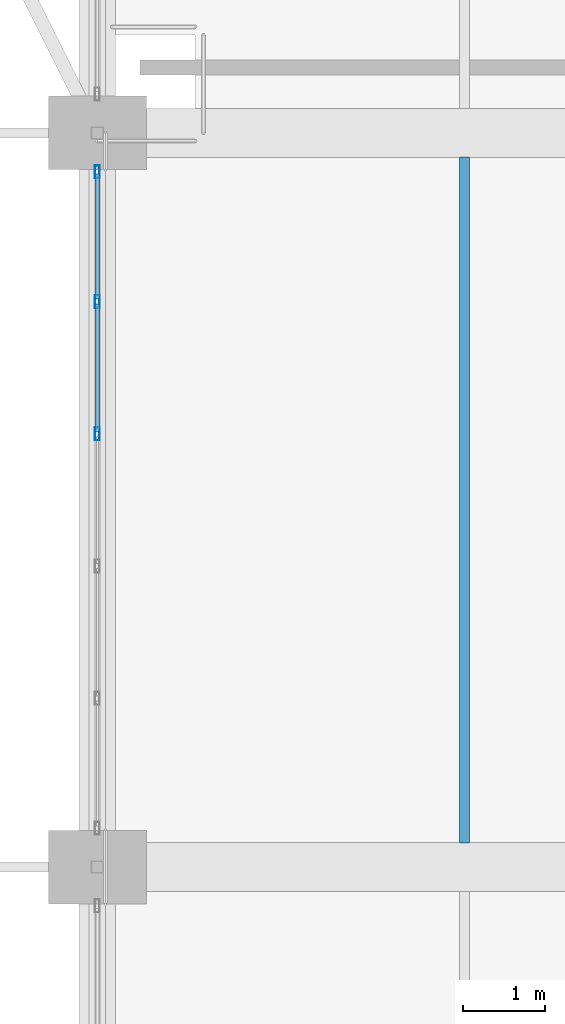
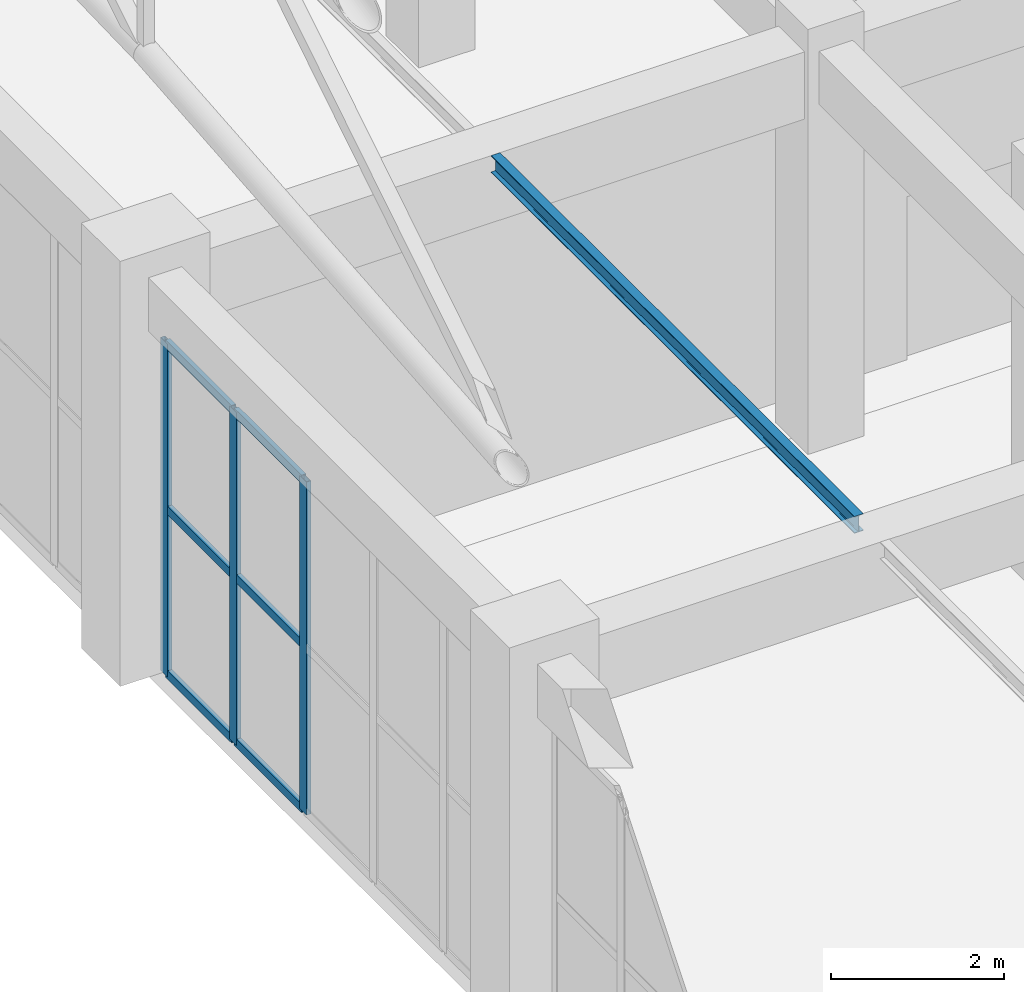
# One storey, part 97 of 223: 9 members, 1 beam, 1 element without a shape of its own.
"""IFC4 building model written with IfcOpenShell, lengths in metres."""

import ifcopenshell
import ifcopenshell.guid

model = None  # the IFC model being written
_history = None  # IfcOwnerHistory: only IFC2X3 demands one
_inside = {}  # id of a spatial element -> (the spatial element, [elements in it])
_under = {}  # id of a project, library or spatial element -> (it, [spatial elements below it])
_declared = {}  # id of a project -> (the project, [libraries it declares])
_typed = {}  # id of a type object -> (the type object, [elements of that type])
_made_of = {}  # id of a material, layer set ... -> (it, [elements and type objects made of it])


def new_model(schema):
    """Start an empty IFC model of exactly this schema.

    Asked for "IFC4X3", IfcOpenShell would pick the latest addendum, in which some entities
    have other attributes; the version numbers below select the first issue.
    IFC2X3 requires an IfcOwnerHistory on every rooted entity: one is made here for all.
    """
    global model, _history
    if schema == "IFC4X3":
        model = ifcopenshell.file(schema_version=(4, 3, 0, 0))
    else:
        model = ifcopenshell.file(schema=schema)
    _inside.clear()
    _under.clear()
    _declared.clear()
    _typed.clear()
    _made_of.clear()
    _history = None
    if model.schema == "IFC2X3":
        org = make("IfcOrganization", Name="unknown")
        user = make(
            "IfcPersonAndOrganization",
            ThePerson=make("IfcPerson", FamilyName="unknown"),
            TheOrganization=org,
        )
        app = make(
            "IfcApplication",
            ApplicationDeveloper=org,
            Version="unknown",
            ApplicationFullName="unknown",
            ApplicationIdentifier="unknown",
        )
        _history = make(
            "IfcOwnerHistory",
            OwningUser=user,
            OwningApplication=app,
            ChangeAction="ADDED",
            CreationDate=0,
        )
    return model


def make(cls, **values):
    """One entity of the class cls with the attributes given. An attribute that is None is left unset."""
    return model.create_entity(
        cls, **{name: value for name, value in values.items() if value is not None}
    )


def rooted(cls, **values):
    """An entity with a GlobalId (a new one), such as an element, a storey or a relation."""
    return make(cls, GlobalId=ifcopenshell.guid.new(), OwnerHistory=_history, **values)


def si_unit(unit_type, name, prefix=None):
    """IfcSIUnit, for example si_unit("LENGTHUNIT", "METRE", prefix="MILLI")."""
    return make("IfcSIUnit", UnitType=unit_type, Prefix=prefix, Name=name)


def assignment(units):
    """IfcUnitAssignment: the units of a project."""
    return None if units is None else make("IfcUnitAssignment", Units=units)


def point(xyz):
    """IfcCartesianPoint."""
    return None if xyz is None else make("IfcCartesianPoint", Coordinates=xyz)


def direction(xyz):
    """IfcDirection."""
    return None if xyz is None else make("IfcDirection", DirectionRatios=xyz)


def frame(location, z_axis=None, x_axis=None):
    """IfcAxis2Placement3D, a coordinate frame: its origin and axes. An axis left out is left unset."""
    return make(
        "IfcAxis2Placement3D",
        Location=point(location),
        Axis=direction(z_axis),
        RefDirection=direction(x_axis),
    )


def frame_2d(location, x_axis=None):
    """IfcAxis2Placement2D, a coordinate frame in the plane: its origin and x axis."""
    return make(
        "IfcAxis2Placement2D", Location=point(location), RefDirection=direction(x_axis)
    )


def origin():
    """The frame at (0, 0, 0) with its axes left unset."""
    return frame((0.0, 0.0, 0.0))


def origin_2d():
    """The frame at (0, 0) in the plane with its x axis left unset."""
    return frame_2d((0.0, 0.0))


def place(relative_to, where):
    """IfcLocalPlacement: puts the frame where relative to a parent placement (None: the world)."""
    return make(
        "IfcLocalPlacement", PlacementRelTo=relative_to, RelativePlacement=where
    )


def context(
    kind, dimensions, precision=None, world=None, true_north=None, identifier=None
):
    """IfcGeometricRepresentationContext, for example the 3D "Model" context."""
    return make(
        "IfcGeometricRepresentationContext",
        ContextIdentifier=identifier,
        ContextType=kind,
        CoordinateSpaceDimension=dimensions,
        Precision=precision,
        WorldCoordinateSystem=world,
        TrueNorth=true_north,
    )


def subcontext(parent, identifier, kind, view, scale=None):
    """IfcGeometricRepresentationSubContext, for example "Body" below "Model"."""
    return make(
        "IfcGeometricRepresentationSubContext",
        ContextIdentifier=identifier,
        ContextType=kind,
        ParentContext=parent,
        TargetScale=scale,
        TargetView=view,
    )


def project(units=None, contexts=None):
    """IfcProject with its units and contexts."""
    return rooted(
        "IfcProject",
        Name="project",
        RepresentationContexts=contexts,
        UnitsInContext=assignment(units),
    )


def spatial(cls, under=None, at=None, **own):
    """A site, building, storey or space (cls), placed at a placement, below another one or the project."""
    s = rooted(cls, ObjectPlacement=at, **own)
    if under is not None:
        _under.setdefault(under.id(), (under, []))[1].append(s)
    return s


def profile(cls, at=None, kind="AREA", **sizes):
    """A parametric profile (cls). Its sizes go by their IFC names, for example OverallWidth=200.0."""
    return make(cls, ProfileType=kind, Position=at, **sizes)


def hollow_rectangle(**sizes):
    """IfcRectangleHollowProfileDef."""
    return profile("IfcRectangleHollowProfileDef", **sizes)


def i_section(**sizes):
    """IfcIShapeProfileDef."""
    return profile("IfcIShapeProfileDef", **sizes)


def extrude(swept, where, along, depth):
    """IfcExtrudedAreaSolid: the profile swept, set in the frame where, extruded along a direction by depth."""
    return make(
        "IfcExtrudedAreaSolid",
        SweptArea=swept,
        Position=where,
        ExtrudedDirection=direction(along),
        Depth=depth,
    )


def shape(context_of_items, identifier, shape_type, items):
    """IfcShapeRepresentation: the items that make up one representation, for example the "Body"."""
    return make(
        "IfcShapeRepresentation",
        ContextOfItems=context_of_items,
        RepresentationIdentifier=identifier,
        RepresentationType=shape_type,
        Items=items,
    )


def material(Name=None, Category=None):
    """IfcMaterial."""
    return make("IfcMaterial", Name=Name, Category=Category)


def layer(
    of_material, thickness, ventilated=None, Name=None, Category=None, Priority=None
):
    """IfcMaterialLayer: one layer of a wall or slab, of a material (None: an air gap)."""
    return make(
        "IfcMaterialLayer",
        Material=of_material,
        LayerThickness=thickness,
        IsVentilated=ventilated,
        Name=Name,
        Category=Category,
        Priority=Priority,
    )


def layer_set(layers, Name=None):
    """IfcMaterialLayerSet."""
    return make("IfcMaterialLayerSet", MaterialLayers=layers, LayerSetName=Name)


def material_profile(
    of_material, cross_section, Name=None, Category=None, Priority=None
):
    """IfcMaterialProfile: a cross section and its material."""
    return make(
        "IfcMaterialProfile",
        Name=Name,
        Material=of_material,
        Profile=cross_section,
        Priority=Priority,
        Category=Category,
    )


def profile_set(profiles, Name=None, composite=None):
    """IfcMaterialProfileSet."""
    return make(
        "IfcMaterialProfileSet",
        Name=Name,
        MaterialProfiles=profiles,
        CompositeProfile=composite,
    )


def made_of(thing, what):
    """Note that an element or type object is made of a material, layer set ...; save() writes the relation."""
    if what is not None:
        _made_of.setdefault(what.id(), (what, []))[1].append(thing)
    return thing


def type_object(cls, material=None, **own):
    """A type object (cls), such as IfcWallType, which elements share."""
    return made_of(rooted(cls, **own), material)


def element(
    cls,
    number,
    at=None,
    inside=None,
    cuts=None,
    type_object=None,
    material=None,
    context=None,
    identifier="Body",
    shape_type=None,
    held_by="IfcProductDefinitionShape",
    body=None,
    shapes=None,
    **own,
):
    """One element of the class cls, such as IfcWall. Its Tag is "e" and its number.

    at: its placement. inside: the storey or other place that contains it. cuts: it is an
    opening in that element (IfcRelVoidsElement). A single representation is given by context,
    identifier, shape_type and body (its items); several are given by shapes. held_by: the class
    of the entity that holds the representations. save() writes the other relations.
    """
    e = rooted(cls, Tag="e%d" % number, ObjectPlacement=at, **own)
    if body is not None:
        shapes = [shape(context, identifier, shape_type, body)]
    if shapes is not None:
        e.Representation = make(held_by, Representations=shapes)
    if inside is not None:
        _inside.setdefault(inside.id(), (inside, []))[1].append(e)
    if cuts is not None:
        rooted(
            "IfcRelVoidsElement", RelatingBuildingElement=cuts, RelatedOpeningElement=e
        )
    if type_object is not None:
        _typed.setdefault(type_object.id(), (type_object, []))[1].append(e)
    return made_of(e, material)


def aggregate(whole, parts):
    """IfcRelAggregates: a whole, such as a stair, and the parts it consists of."""
    return rooted("IfcRelAggregates", RelatingObject=whole, RelatedObjects=parts)


def save(model, path):
    """Write the relations noted so far, then the file.

    IfcRelAggregates (storeys below a building ...), IfcRelContainedInSpatialStructure (elements
    in a storey), IfcRelDefinesByType, IfcRelAssociatesMaterial and IfcRelDeclares: one each for
    every whole, place, type object, material and project.
    """
    for whole, parts in _under.values():
        aggregate(whole, parts)
    for where, things in _inside.values():
        rooted(
            "IfcRelContainedInSpatialStructure",
            RelatedElements=things,
            RelatingStructure=where,
        )
    for kind, things in _typed.values():
        rooted("IfcRelDefinesByType", RelatedObjects=things, RelatingType=kind)
    for what, things in _made_of.values():
        rooted("IfcRelAssociatesMaterial", RelatedObjects=things, RelatingMaterial=what)
    for by, libraries in _declared.values():
        rooted("IfcRelDeclares", RelatingContext=by, RelatedDefinitions=libraries)
    model.write(path)


model = new_model("IFC4")

# Units and contexts
model_context = context("Model", 3, precision=1e-05, world=origin(), true_north=direction((0.0, 1.0)))
body_context = subcontext(model_context, "Body", "Model", "MODEL_VIEW")
ifc_project = project(units=[si_unit("LENGTHUNIT", "METRE"), si_unit("AREAUNIT", "SQUARE_METRE"), si_unit("VOLUMEUNIT", "CUBIC_METRE"), si_unit("PLANEANGLEUNIT", "RADIAN"), si_unit("MASSUNIT", "GRAM", prefix="KILO")], contexts=[model_context])

# Site, building, storey
site_placement = place(None, origin())
site = spatial("IfcSite", under=ifc_project, at=site_placement, CompositionType="ELEMENT")
building_placement = place(site_placement, origin())
building = spatial("IfcBuilding", under=site, at=building_placement, Name="Dornveld Trade and Exhibition Forum", CompositionType="ELEMENT")
storey_placement = place(building_placement, frame((0.0, 0.0, 6.0)))
storey = spatial("IfcBuildingStorey", under=building, at=storey_placement, Name="L01", CompositionType="ELEMENT", Elevation=6.0)

# Beam
ifc_material_1 = material(Name="Steel S355J2", Category="steel")
ifc_material_profile_1 = material_profile(ifc_material_1, i_section(OverallWidth=0.1201171875, OverallDepth=0.239990234375, WebThickness=0.006103515625, FlangeThickness=0.009765625, FilletRadius=0.014892578125, at=origin_2d()), Name="IPE 240")
ifc_profile_set_1 = profile_set([ifc_material_profile_1], Name="Steel S355J2")
beam_type = type_object("IfcBeamType", Name="BM-JOIST-240", PredefinedType="JOIST", material=ifc_profile_set_1)
beam_placement = place(storey_placement, frame((175.5, 117.297119140625, 5.52001953125), z_axis=(0.0, 1.0, 0.0), x_axis=(-1.0, 0.0, 0.0)))
element("IfcBeam", 1, at=beam_placement, inside=storey, type_object=beam_type, Name="L01 secondary joist 1365", PredefinedType="JOIST", context=body_context, shape_type="SweptSolid", body=[
    extrude(i_section(OverallWidth=0.1201171875, OverallDepth=0.239990234375, WebThickness=0.006103515625, FlangeThickness=0.009765625, FilletRadius=0.014892578125, at=origin_2d()), origin(), (0.0, 0.0, 1.0), 8.40576171875),
])

# Curtain wall, members
ifc_material_2 = material(Name="Dark-bronze anodised aluminium and low-E glass", Category="aluminium")
ifc_layer = layer(ifc_material_2, 0.1689453125)
ifc_layer_set = layer_set([ifc_layer], Name="Dark-bronze anodised aluminium and low-E glass")
curtain_wall_type = type_object("IfcCurtainWallType", Name="CW-SYS-09", PredefinedType="USERDEFINED", material=ifc_layer_set)
curtain_wall_placement = place(storey_placement, origin())
curtain_wall = element("IfcCurtainWall", 2, at=curtain_wall_placement, inside=storey, type_object=curtain_wall_type, Name="L01 unitised curtain wall 9", ObjectType="UNITISED_CURTAIN_WALL", PredefinedType="USERDEFINED")
ifc_material_3 = material(Name="Dark-bronze anodised aluminium", Category="aluminium")
ifc_material_profile_2 = material_profile(ifc_material_3, hollow_rectangle(XDim=0.06005859375, YDim=0.159912109375, WallThickness=0.00390625, at=origin_2d()), Name="RHS 160x60x4")
ifc_profile_set_2 = profile_set([ifc_material_profile_2], Name="Dark-bronze anodised aluminium")
member_type_1 = type_object("IfcMemberType", Name="CW-MUL-160", PredefinedType="MULLION", material=ifc_profile_set_2)
member_1_placement = place(storey_placement, frame((171.0, 122.310791015625, -0.00390625), z_axis=(0.0, 0.0, 1.0), x_axis=(-1.0, 0.0, 0.0)))
member_1 = element("IfcMember", 3, at=member_1_placement, type_object=member_type_1, Name="CW-09 mullion 4", PredefinedType="MULLION", context=body_context, shape_type="SweptSolid", body=[
    extrude(hollow_rectangle(XDim=0.06005859375, YDim=0.159912109375, WallThickness=0.00390625, at=origin_2d()), origin(), (0.0, 0.0, 1.0), 4.703857421875),
])
member_2_placement = place(storey_placement, frame((171.0, 123.932373046875, -0.00390625), z_axis=(0.0, 0.0, 1.0), x_axis=(-1.0, 0.0, 0.0)))
member_2 = element("IfcMember", 4, at=member_2_placement, type_object=member_type_1, Name="CW-09 mullion 5", PredefinedType="MULLION", context=body_context, shape_type="SweptSolid", body=[
    extrude(hollow_rectangle(XDim=0.06005859375, YDim=0.159912109375, WallThickness=0.00390625, at=origin_2d()), origin(), (0.0, 0.0, 1.0), 4.703857421875),
])
member_3_placement = place(storey_placement, frame((171.0, 125.52392578125, -0.00390625), z_axis=(0.0, 0.0, 1.0), x_axis=(-1.0, 0.0, 0.0)))
member_3 = element("IfcMember", 5, at=member_3_placement, type_object=member_type_1, Name="CW-09 mullion 6", PredefinedType="MULLION", context=body_context, shape_type="SweptSolid", body=[
    extrude(hollow_rectangle(XDim=0.06005859375, YDim=0.159912109375, WallThickness=0.00390625, at=origin_2d()), origin(), (0.0, 0.0, 1.0), 4.703857421875),
])
ifc_material_4 = material(Name="Dark-bronze anodised aluminium", Category="aluminium")
ifc_material_profile_3 = material_profile(ifc_material_4, hollow_rectangle(XDim=0.06005859375, YDim=0.1201171875, WallThickness=0.00390625, at=origin_2d()), Name="RHS 120x60x4")
ifc_profile_set_3 = profile_set([ifc_material_profile_3], Name="Dark-bronze anodised aluminium")
member_type_2 = type_object("IfcMemberType", Name="CW-TRN-120", PredefinedType="USERDEFINED", material=ifc_profile_set_3)
member_4_placement = place(storey_placement, frame((171.0, 122.3408203125, 0.02587890625), z_axis=(0.0, 1.0, 0.0), x_axis=(-1.0, 0.0, 0.0)))
member_4 = element("IfcMember", 6, at=member_4_placement, type_object=member_type_2, Name="CW-09 transom 4.1", ObjectType="TRANSOM", PredefinedType="USERDEFINED", context=body_context, shape_type="SweptSolid", body=[
    extrude(hollow_rectangle(XDim=0.06005859375, YDim=0.1201171875, WallThickness=0.00390625, at=origin_2d()), origin(), (0.0, 0.0, 1.0), 1.5615234375),
])
member_5_placement = place(storey_placement, frame((171.0, 122.3408203125, 2.347900390625), z_axis=(0.0, 1.0, 0.0), x_axis=(-1.0, 0.0, 0.0)))
member_5 = element("IfcMember", 7, at=member_5_placement, type_object=member_type_2, Name="CW-09 transom 4.2", ObjectType="TRANSOM", PredefinedType="USERDEFINED", context=body_context, shape_type="SweptSolid", body=[
    extrude(hollow_rectangle(XDim=0.06005859375, YDim=0.1201171875, WallThickness=0.00390625, at=origin_2d()), origin(), (0.0, 0.0, 1.0), 1.5615234375),
])
member_6_placement = place(storey_placement, frame((171.0, 122.3408203125, 4.669921875), z_axis=(0.0, 1.0, 0.0), x_axis=(-1.0, 0.0, 0.0)))
member_6 = element("IfcMember", 8, at=member_6_placement, type_object=member_type_2, Name="CW-09 transom 4.3", ObjectType="TRANSOM", PredefinedType="USERDEFINED", context=body_context, shape_type="SweptSolid", body=[
    extrude(hollow_rectangle(XDim=0.06005859375, YDim=0.1201171875, WallThickness=0.00390625, at=origin_2d()), origin(), (0.0, 0.0, 1.0), 1.5615234375),
])
member_7_placement = place(storey_placement, frame((171.0, 123.96240234375, 0.02587890625), z_axis=(0.0, 1.0, 0.0), x_axis=(-1.0, 0.0, 0.0)))
member_7 = element("IfcMember", 9, at=member_7_placement, type_object=member_type_2, Name="CW-09 transom 5.1", ObjectType="TRANSOM", PredefinedType="USERDEFINED", context=body_context, shape_type="SweptSolid", body=[
    extrude(hollow_rectangle(XDim=0.06005859375, YDim=0.1201171875, WallThickness=0.00390625, at=origin_2d()), origin(), (0.0, 0.0, 1.0), 1.531494140625),
])
member_8_placement = place(storey_placement, frame((171.0, 123.96240234375, 2.347900390625), z_axis=(0.0, 1.0, 0.0), x_axis=(-1.0, 0.0, 0.0)))
member_8 = element("IfcMember", 10, at=member_8_placement, type_object=member_type_2, Name="CW-09 transom 5.2", ObjectType="TRANSOM", PredefinedType="USERDEFINED", context=body_context, shape_type="SweptSolid", body=[
    extrude(hollow_rectangle(XDim=0.06005859375, YDim=0.1201171875, WallThickness=0.00390625, at=origin_2d()), origin(), (0.0, 0.0, 1.0), 1.531494140625),
])
member_9_placement = place(storey_placement, frame((171.0, 123.96240234375, 4.669921875), z_axis=(0.0, 1.0, 0.0), x_axis=(-1.0, 0.0, 0.0)))
member_9 = element("IfcMember", 11, at=member_9_placement, type_object=member_type_2, Name="CW-09 transom 5.3", ObjectType="TRANSOM", PredefinedType="USERDEFINED", context=body_context, shape_type="SweptSolid", body=[
    extrude(hollow_rectangle(XDim=0.06005859375, YDim=0.1201171875, WallThickness=0.00390625, at=origin_2d()), origin(), (0.0, 0.0, 1.0), 1.531494140625),
])
aggregate(curtain_wall, [member_1, member_2, member_3, member_4, member_5, member_6, member_7, member_8, member_9])

save(model, "model.ifc")
